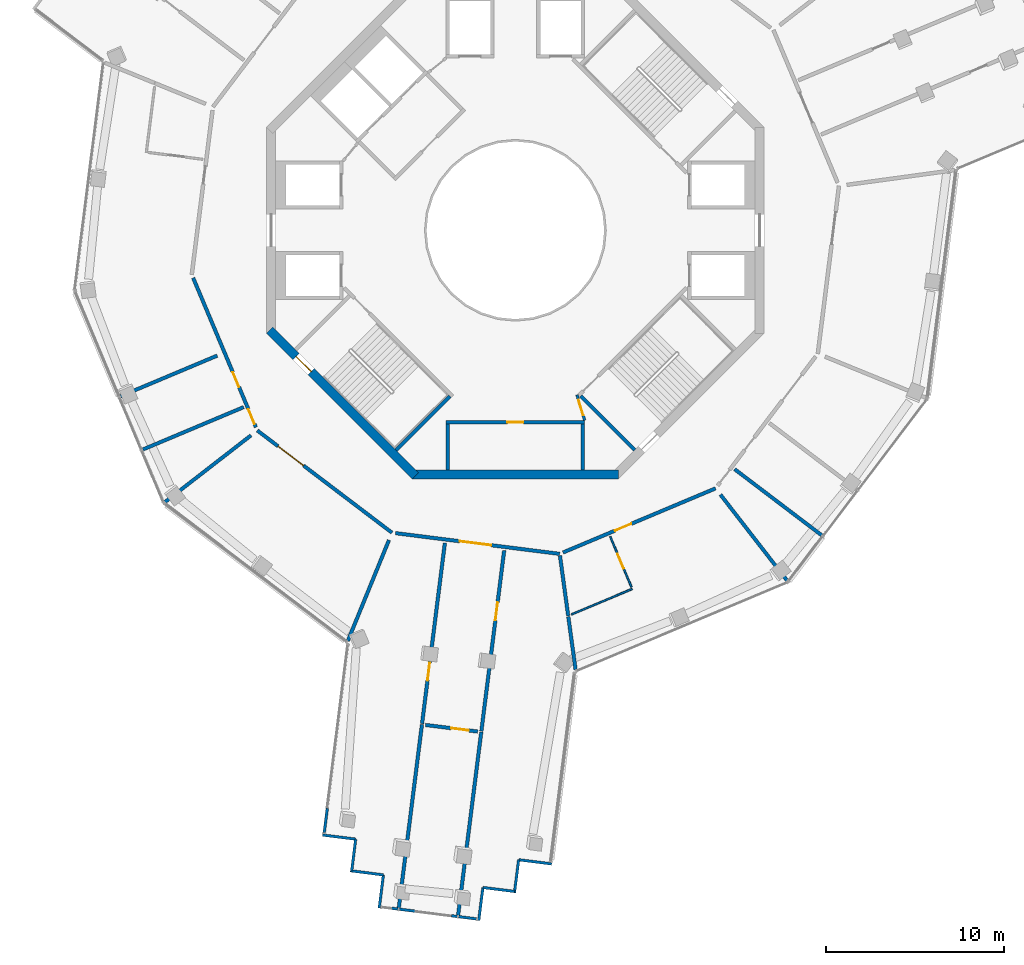
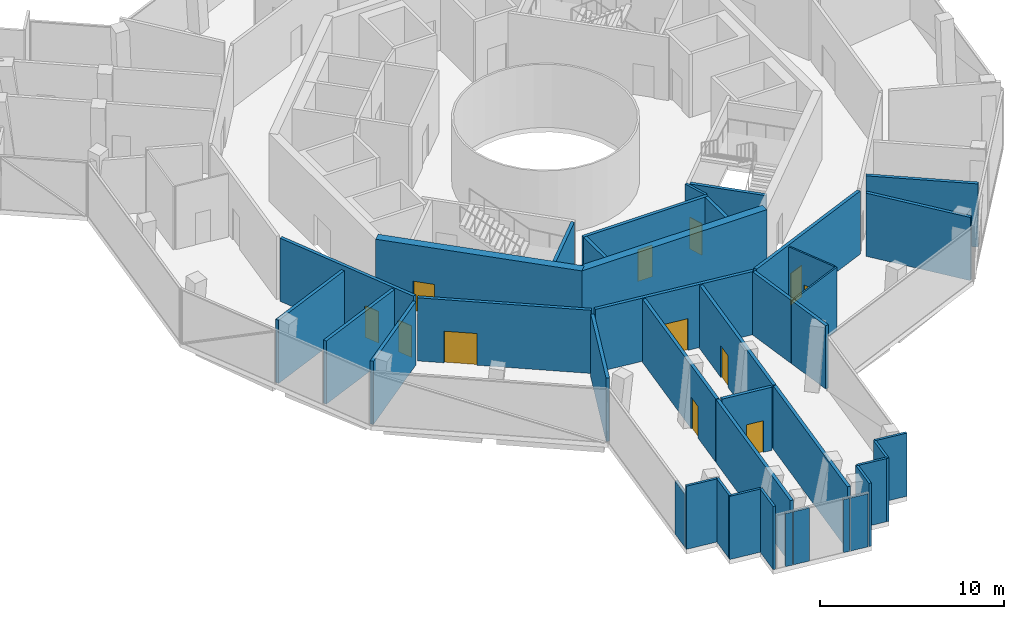
# One storey, part 12 of 18: 40 walls, 12 doors, 12 openings.
"""IFC4 building model written with IfcOpenShell, lengths in metres."""

from ifc_helpers import new_model, si_unit, direction, frame, frame_2d, origin, place, context, subcontext, project, spatial, rectangle, extrude, material, layer, layer_set, type_object, element, fill, save


model = new_model("IFC4")

# Units and contexts
model_context = context("Model", 3, precision=1e-05, world=origin(), true_north=direction((0.0, 1.0)))
body_context = subcontext(model_context, "Body", "Model", "MODEL_VIEW")
ifc_project = project(units=[si_unit("LENGTHUNIT", "METRE"), si_unit("AREAUNIT", "SQUARE_METRE"), si_unit("VOLUMEUNIT", "CUBIC_METRE"), si_unit("PLANEANGLEUNIT", "RADIAN"), si_unit("MASSUNIT", "GRAM", prefix="KILO")], contexts=[model_context])

# Site, building, storey
site_placement = place(None, origin())
site = spatial("IfcSite", under=ifc_project, at=site_placement, CompositionType="ELEMENT")
building_placement = place(site_placement, origin())
building = spatial("IfcBuilding", under=site, at=building_placement, Name="Verdalira Terraces Hotel", CompositionType="ELEMENT")
storey_placement = place(building_placement, frame((0.0, 0.0, 248.0)))
storey = spatial("IfcBuildingStorey", under=building, at=storey_placement, Name="L61", CompositionType="ELEMENT", Elevation=248.0)

# Wall
ifc_material_1 = material(Name="Moisture-resistant gypsum board partition")
ifc_layer_1 = layer(ifc_material_1, 0.10009765625)
ifc_layer_set_1 = layer_set([ifc_layer_1], Name="Bathroom partition 100 mm")
wall_type_1 = type_object("IfcWallType", Name="Bathroom partition 100 mm", PredefinedType="PARTITIONING", material=ifc_layer_set_1)
wall_1_placement = place(storey_placement, frame((6.578125, -20.186523, 0.0), z_axis=(0.0, 0.0, 1.0), x_axis=(-0.921857328, -0.387529441, 0.0)))
element("IfcWall", 1, at=wall_1_placement, inside=storey, type_object=wall_type_1, Name="Bathroom partition", PredefinedType="PARTITIONING", context=body_context, shape_type="SweptSolid", body=[
    extrude(rectangle(XDim=3.703613, YDim=0.100098, at=frame_2d((1.851807, 0.0))), origin(), (0.0, 0.0, 1.0), 4.189941),
])

# Wall, opening, door
wall_2_placement = place(storey_placement, frame((6.539551, -20.094238, 0.0), z_axis=(0.0, 0.0, 1.0), x_axis=(-0.3875605, 0.92184427, 0.0)))
wall_2 = element("IfcWall", 2, at=wall_2_placement, inside=storey, type_object=wall_type_1, Name="Bathroom partition", PredefinedType="PARTITIONING", context=body_context, shape_type="SweptSolid", body=[
    extrude(rectangle(XDim=3.099854, YDim=0.100098, at=frame_2d((1.549805, 0.0))), origin(), (0.0, 0.0, 1.0), 4.189941),
])
opening_1_placement = place(wall_2_placement, frame((1.149902, 0.0, 0.0)))
opening_1 = element("IfcOpeningElement", 3, at=opening_1_placement, cuts=wall_2, Name="Opening L61-112", PredefinedType="OPENING", context=body_context, shape_type="SweptSolid", body=[
    extrude(rectangle(XDim=0.899902, YDim=2.100098, at=frame_2d((0.449951, 1.050049))), frame((0.0, 0.060059, 0.0), z_axis=(0.0, -1.0, 0.0), x_axis=(1.0, 0.0, 0.0)), (0.0, 0.0, 1.0), 0.120117),
])
ifc_material_2 = material(Name="Timber door", Category="wood")
door_type_1 = type_object("IfcDoorType", Name="Bathroom door 900 x 2100", OperationType="NOTDEFINED", PredefinedType="DOOR", material=ifc_material_2)
door_1_placement = place(opening_1_placement, origin())
door_1 = element("IfcDoor", 4, at=door_1_placement, inside=storey, type_object=door_type_1, Name="Bathroom door 6105", OperationType="SINGLE_SWING_LEFT", OverallHeight=2.10009765625, OverallWidth=0.89990234375, PredefinedType="DOOR", context=body_context, shape_type="SweptSolid", body=[
    extrude(rectangle(XDim=0.899902, YDim=2.100098, at=frame_2d((0.449951, 1.050049))), frame((0.0, 0.024902, 0.0), z_axis=(0.0, -1.0, 0.0), x_axis=(1.0, 0.0, 0.0)), (0.0, 0.0, 1.0), 0.050049),
])
fill(opening_1, door_1)

ifc_material_3 = material(Name="Concrete C50", Category="concrete")
ifc_layer_2 = layer(ifc_material_3, 0.199951171875)
ifc_layer_set_2 = layer_set([ifc_layer_2], Name="Core RC wall 200 C50")
wall_type_2 = type_object("IfcWallType", Name="Core RC wall 200 C50", PredefinedType="SOLIDWALL", material=ifc_layer_set_2)
wall_3_placement = place(storey_placement, frame((-3.899902, -10.800049, 0.0), z_axis=(0.0, 0.0, 1.0), x_axis=(1.0, 0.0, 0.0)))
wall_3 = element("IfcWall", 5, at=wall_3_placement, inside=storey, type_object=wall_type_2, Name="L61 store front wall", PredefinedType="SOLIDWALL", context=body_context, shape_type="SweptSolid", body=[
    extrude(rectangle(XDim=7.799805, YDim=0.199951, at=frame_2d((3.899902, 0.0))), origin(), (0.0, 0.0, 1.0), 4.189941),
])
opening_2_placement = place(wall_3_placement, frame((3.449951, 0.0, 0.0)))
opening_2 = element("IfcOpeningElement", 6, at=opening_2_placement, cuts=wall_3, Name="Opening L61-801", PredefinedType="OPENING", context=body_context, shape_type="SweptSolid", body=[
    extrude(rectangle(XDim=0.899902, YDim=2.100098, at=frame_2d((0.449951, 1.050049))), frame((0.0, 0.109863, 0.0), z_axis=(0.0, -1.0, 0.0), x_axis=(1.0, 0.0, 0.0)), (0.0, 0.0, 1.0), 0.219971),
])
ifc_material_4 = material(Name="Steel fire door", Category="steel")
door_type_2 = type_object("IfcDoorType", Name="Core room door 900 x 2100", OperationType="NOTDEFINED", PredefinedType="DOOR", material=ifc_material_4)
door_2_placement = place(opening_2_placement, origin())
door_2 = element("IfcDoor", 7, at=door_2_placement, inside=storey, type_object=door_type_2, Name="Store door L61 SS", OperationType="SINGLE_SWING_LEFT", OverallHeight=2.10009765625, OverallWidth=0.89990234375, PredefinedType="DOOR", context=body_context, shape_type="SweptSolid", body=[
    extrude(rectangle(XDim=0.899902, YDim=2.100098, at=frame_2d((0.449951, 1.050049))), frame((0.0, 0.024902, 0.0), z_axis=(0.0, -1.0, 0.0), x_axis=(1.0, 0.0, 0.0)), (0.0, 0.0, 1.0), 0.050049),
])
fill(opening_2, door_2)

# Walls
for number, where, z_axis, x_axis, name in (
    (8, (-3.800049, -10.899902, 0.0), (0.0, 0.0, 1.0), (0.0, -1.0, 0.0), "L61 store side wall"),
    (9, (3.800049, -10.899902, 0.0), (0.0, 0.0, 1.0), (0.0, -1.0, 0.0), "L61 store side wall"),
):
    element("IfcWall", number, at=place(storey_placement, frame(where, z_axis=z_axis, x_axis=x_axis)), inside=storey, type_object=wall_type_2, Name=name, PredefinedType="SOLIDWALL", context=body_context, shape_type="SweptSolid", body=[
        extrude(rectangle(XDim=2.600098, YDim=0.199951, at=frame_2d((1.300049, 0.0))), origin(), (0.0, 0.0, 1.0), 4.189941),
    ])
for number, where, z_axis, x_axis, name in (
    (10, (-3.677002, -9.33374, 0.0), (0.0, 0.0, 1.0), (-0.707078393, -0.707135168, 0.0), "L61 stair ST2 end wall 2"),
    (11, (3.677002, -9.33374, 0.0), (0.0, 0.0, 1.0), (0.707078393, -0.707135168, 0.0), "L61 stair ST3 end wall 1"),
):
    element("IfcWall", number, at=place(storey_placement, frame(where, z_axis=z_axis, x_axis=x_axis)), inside=storey, type_object=wall_type_2, Name=name, PredefinedType="SOLIDWALL", context=body_context, shape_type="SweptSolid", body=[
        extrude(rectangle(XDim=4.300049, YDim=0.199951, at=frame_2d((2.149902, 0.0))), origin(), (0.0, 0.0, 1.0), 4.189941),
    ])

# Wall, opening, door
ifc_material_5 = material(Name="Gypsum board partition")
ifc_layer_3 = layer(ifc_material_5, 0.14990234375)
ifc_layer_set_3 = layer_set([ifc_layer_3], Name="Core partition 150 mm")
wall_type_3 = type_object("IfcWallType", Name="Core partition 150 mm", PredefinedType="PARTITIONING", material=ifc_layer_set_3)
wall_4_placement = place(storey_placement, frame((3.899902, -10.699951, 0.0), z_axis=(0.0, 0.0, 1.0), x_axis=(-0.289808785, 0.957084567, 0.0)))
wall_4 = element("IfcWall", 12, at=wall_4_placement, inside=storey, type_object=wall_type_3, Name="Room partition L61", PredefinedType="PARTITIONING", context=body_context, shape_type="SweptSolid", body=[
    extrude(rectangle(XDim=1.501221, YDim=0.149902, at=frame_2d((0.750488, 0.0))), origin(), (0.0, 0.0, 1.0), 4.189941),
])
opening_3_placement = place(wall_4_placement, frame((0.300781, 0.0, 0.0)))
opening_3 = element("IfcOpeningElement", 13, at=opening_3_placement, cuts=wall_4, Name="Opening L61-822", PredefinedType="OPENING", context=body_context, shape_type="SweptSolid", body=[
    extrude(rectangle(XDim=0.899902, YDim=2.100098, at=frame_2d((0.449951, 1.050049))), frame((0.0, 0.084961, 0.0), z_axis=(0.0, -1.0, 0.0), x_axis=(1.0, 0.0, 0.0)), (0.0, 0.0, 1.0), 0.169922),
])
door_3_placement = place(opening_3_placement, origin())
door_3 = element("IfcDoor", 14, at=door_3_placement, inside=storey, type_object=door_type_2, Name="Door L61 room6", OperationType="SINGLE_SWING_LEFT", OverallHeight=2.10009765625, OverallWidth=0.89990234375, PredefinedType="DOOR", context=body_context, shape_type="SweptSolid", body=[
    extrude(rectangle(XDim=0.899902, YDim=2.100098, at=frame_2d((0.449951, 1.050049))), frame((0.0, 0.024902, 0.0), z_axis=(0.0, -1.0, 0.0), x_axis=(1.0, 0.0, 0.0)), (0.0, 0.0, 1.0), 0.050049),
])
fill(opening_3, door_3)

ifc_material_6 = material(Name="Concrete C50", Category="concrete")
ifc_layer_4 = layer(ifc_material_6, 0.5)
ifc_layer_set_4 = layer_set([ifc_layer_4], Name="Core wall 500 C50")
wall_type_4 = type_object("IfcWallType", Name="Core wall 500 C50", PredefinedType="SHEAR", material=ifc_layer_set_4)
wall_5_placement = place(storey_placement, frame((-13.823242, -5.622314, 0.0), z_axis=(0.0, 0.0, 1.0), x_axis=(0.707106781, -0.707106781, 0.0)))
wall_5 = element("IfcWall", 15, at=wall_5_placement, inside=storey, type_object=wall_type_4, Name="Core wall CW-L61-6", PredefinedType="SHEAR", context=body_context, shape_type="SweptSolid", body=[
    extrude(rectangle(XDim=11.5979, YDim=0.5, at=frame_2d((5.798828, 0.0))), origin(), (0.0, 0.0, 1.0), 4.5),
])
opening_4_placement = place(wall_5_placement, frame((2.099121, 0.0, 0.0)))
opening_4 = element("IfcOpeningElement", 16, at=opening_4_placement, cuts=wall_5, Name="Opening L61-817", PredefinedType="OPENING", context=body_context, shape_type="SweptSolid", body=[
    extrude(rectangle(XDim=1.199951, YDim=2.100098, at=frame_2d((0.600098, 1.050049))), frame((0.0, 0.26001, 0.0), z_axis=(0.0, -1.0, 0.0), x_axis=(1.0, 0.0, 0.0)), (0.0, 0.0, 1.0), 0.52002),
])
ifc_material_7 = material(Name="Steel fire door", Category="steel")
door_type_3 = type_object("IfcDoorType", Name="Stair door 1200 x 2100", OperationType="NOTDEFINED", PredefinedType="DOOR", material=ifc_material_7)
door_4_placement = place(opening_4_placement, origin())
door_4 = element("IfcDoor", 17, at=door_4_placement, inside=storey, type_object=door_type_3, Name="Stair exit door ST2 L61", OperationType="SINGLE_SWING_LEFT", OverallHeight=2.10009765625, OverallWidth=1.199951171875, PredefinedType="DOOR", context=body_context, shape_type="SweptSolid", body=[
    extrude(rectangle(XDim=1.199951, YDim=2.100098, at=frame_2d((0.600098, 1.050049))), frame((0.0, 0.024902, 0.0), z_axis=(0.0, -1.0, 0.0), x_axis=(1.0, 0.0, 0.0)), (0.0, 0.0, 1.0), 0.050049),
])
fill(opening_4, door_4)

# Walls
wall_6_placement = place(storey_placement, frame((-5.799072, -13.75, 0.0), z_axis=(0.0, 0.0, 1.0), x_axis=(1.0, 0.0, 0.0)))
element("IfcWall", 18, at=wall_6_placement, inside=storey, type_object=wall_type_4, Name="Core wall CW-L61-7", PredefinedType="SHEAR", context=body_context, shape_type="SweptSolid", body=[
    extrude(rectangle(XDim=11.598145, YDim=0.5, at=frame_2d((5.799072, 0.0))), origin(), (0.0, 0.0, 1.0), 4.5),
])
ifc_material_8 = material(Name="Fire-rated gypsum board wall")
ifc_layer_5 = layer(ifc_material_8, 0.199951171875)
ifc_layer_set_5 = layer_set([ifc_layer_5], Name="Demising wall 200 mm")
wall_type_5 = type_object("IfcWallType", Name="Demising wall 200 mm", PredefinedType="SOLIDWALL", material=ifc_layer_set_5)
wall_7_placement = place(storey_placement, frame((-9.432373, -23.113525, 0.0), z_axis=(0.0, 0.0, 1.0), x_axis=(0.377834312, 0.925873227, 0.0)))
element("IfcWall", 19, at=wall_7_placement, inside=storey, type_object=wall_type_5, Name="Demising wall", PredefinedType="SOLIDWALL", context=body_context, shape_type="SweptSolid", body=[
    extrude(rectangle(XDim=6.13208, YDim=0.199951, at=frame_2d((3.065918, 0.0))), origin(), (0.0, 0.0, 1.0), 4.189941),
])
wall_8_placement = place(storey_placement, frame((-5.258789, -27.81665, 0.0), z_axis=(0.0, 0.0, 1.0), x_axis=(-0.125346478, -0.992113028, 0.0)))
element("IfcWall", 20, at=wall_8_placement, inside=storey, type_object=wall_type_5, Name="Demising wall", PredefinedType="SOLIDWALL", context=body_context, shape_type="SweptSolid", body=[
    extrude(rectangle(XDim=10.398926, YDim=0.199951, at=frame_2d((5.199463, 0.0))), origin(), (0.0, 0.0, 1.0), 4.189941),
])

# Wall, opening, door
wall_9_placement = place(storey_placement, frame((-5.253174, -27.770996, 0.0), z_axis=(0.0, 0.0, 1.0), x_axis=(0.125333041, 0.992114726, 0.0)))
wall_9 = element("IfcWall", 21, at=wall_9_placement, inside=storey, type_object=wall_type_5, Name="Demising wall", PredefinedType="SOLIDWALL", context=body_context, shape_type="SweptSolid", body=[
    extrude(rectangle(XDim=10.251953, YDim=0.199951, at=frame_2d((5.125977, 0.0))), origin(), (0.0, 0.0, 1.0), 4.189941),
])
opening_5_placement = place(wall_9_placement, frame((2.449951, 0.0, 0.0)))
opening_5 = element("IfcOpeningElement", 22, at=opening_5_placement, cuts=wall_9, Name="Opening L61-108", PredefinedType="OPENING", context=body_context, shape_type="SweptSolid", body=[
    extrude(rectangle(XDim=1.0, YDim=2.100098, at=frame_2d((0.5, 1.050049))), frame((0.0, 0.109863, 0.0), z_axis=(0.0, -1.0, 0.0), x_axis=(1.0, 0.0, 0.0)), (0.0, 0.0, 1.0), 0.219971),
])
ifc_material_9 = material(Name="Timber fire door", Category="wood")
door_type_4 = type_object("IfcDoorType", Name="Public room door 1000 x 2100", OperationType="NOTDEFINED", PredefinedType="DOOR", material=ifc_material_9)
door_5_placement = place(opening_5_placement, origin())
door_5 = element("IfcDoor", 23, at=door_5_placement, inside=storey, type_object=door_type_4, Name="Public room door 6104", OperationType="SINGLE_SWING_LEFT", OverallHeight=2.10009765625, OverallWidth=1.0, PredefinedType="DOOR", context=body_context, shape_type="SweptSolid", body=[
    extrude(rectangle(XDim=1.0, YDim=2.100098, at=frame_2d((0.5, 1.050049))), frame((0.0, 0.024902, 0.0), z_axis=(0.0, -1.0, 0.0), x_axis=(1.0, 0.0, 0.0)), (0.0, 0.0, 1.0), 0.050049),
])
fill(opening_5, door_5)

wall_10_placement = place(storey_placement, frame((-2.119141, -28.215088, 0.0), z_axis=(0.0, 0.0, 1.0), x_axis=(-0.992116162, 0.12532167, 0.0)))
wall_10 = element("IfcWall", 24, at=wall_10_placement, inside=storey, type_object=wall_type_5, Name="Demising wall", PredefinedType="SOLIDWALL", context=body_context, shape_type="SweptSolid", body=[
    extrude(rectangle(XDim=2.965088, YDim=0.199951, at=frame_2d((1.482422, 0.0))), origin(), (0.0, 0.0, 1.0), 4.189941),
])
opening_6_placement = place(wall_10_placement, frame((0.5, 0.0, 0.0)))
opening_6 = element("IfcOpeningElement", 25, at=opening_6_placement, cuts=wall_10, Name="Opening L61-110", PredefinedType="OPENING", context=body_context, shape_type="SweptSolid", body=[
    extrude(rectangle(XDim=1.0, YDim=2.100098, at=frame_2d((0.5, 1.050049))), frame((0.0, 0.109863, 0.0), z_axis=(0.0, -1.0, 0.0), x_axis=(1.0, 0.0, 0.0)), (0.0, 0.0, 1.0), 0.219971),
])
door_6_placement = place(opening_6_placement, origin())
door_6 = element("IfcDoor", 26, at=door_6_placement, inside=storey, type_object=door_type_4, Name="Public room door 6104", OperationType="SINGLE_SWING_LEFT", OverallHeight=2.10009765625, OverallWidth=1.0, PredefinedType="DOOR", context=body_context, shape_type="SweptSolid", body=[
    extrude(rectangle(XDim=1.0, YDim=2.100098, at=frame_2d((0.5, 1.050049))), frame((0.0, 0.024902, 0.0), z_axis=(0.0, -1.0, 0.0), x_axis=(1.0, 0.0, 0.0)), (0.0, 0.0, 1.0), 0.050049),
])
fill(opening_6, door_6)

# Wall
wall_11_placement = place(storey_placement, frame((-3.223877, -38.55542, 0.0), z_axis=(0.0, 0.0, 1.0), x_axis=(0.125343558, 0.992113397, 0.0)))
element("IfcWall", 27, at=wall_11_placement, inside=storey, type_object=wall_type_5, Name="Demising wall", PredefinedType="SOLIDWALL", context=body_context, shape_type="SweptSolid", body=[
    extrude(rectangle(XDim=10.39917, YDim=0.199951, at=frame_2d((5.199707, 0.0))), origin(), (0.0, 0.0, 1.0), 4.189941),
])

# Wall, opening, door
wall_12_placement = place(storey_placement, frame((-0.629883, -18.021484, 0.0), z_axis=(0.0, 0.0, 1.0), x_axis=(-0.125333041, -0.992114726, 0.0)))
wall_12 = element("IfcWall", 28, at=wall_12_placement, inside=storey, type_object=wall_type_5, Name="Demising wall", PredefinedType="SOLIDWALL", context=body_context, shape_type="SweptSolid", body=[
    extrude(rectangle(XDim=10.251953, YDim=0.199951, at=frame_2d((5.125977, 0.0))), origin(), (0.0, 0.0, 1.0), 4.189941),
])
opening_7_placement = place(wall_12_placement, frame((2.949951, 0.0, 0.0)))
opening_7 = element("IfcOpeningElement", 29, at=opening_7_placement, cuts=wall_12, Name="Opening L61-109", PredefinedType="OPENING", context=body_context, shape_type="SweptSolid", body=[
    extrude(rectangle(XDim=1.0, YDim=2.100098, at=frame_2d((0.5, 1.050049))), frame((0.0, 0.109863, 0.0), z_axis=(0.0, -1.0, 0.0), x_axis=(1.0, 0.0, 0.0)), (0.0, 0.0, 1.0), 0.219971),
])
door_7_placement = place(opening_7_placement, origin())
door_7 = element("IfcDoor", 30, at=door_7_placement, inside=storey, type_object=door_type_4, Name="Public room door 6104", OperationType="SINGLE_SWING_LEFT", OverallHeight=2.10009765625, OverallWidth=1.0, PredefinedType="DOOR", context=body_context, shape_type="SweptSolid", body=[
    extrude(rectangle(XDim=1.0, YDim=2.100098, at=frame_2d((0.5, 1.050049))), frame((0.0, 0.024902, 0.0), z_axis=(0.0, -1.0, 0.0), x_axis=(1.0, 0.0, 0.0)), (0.0, 0.0, 1.0), 0.050049),
])
fill(opening_7, door_7)

# Walls
wall_13_placement = place(storey_placement, frame((2.509277, -18.317139, 0.0), z_axis=(0.0, 0.0, 1.0), x_axis=(0.135690013, -0.990751341, 0.0)))
element("IfcWall", 31, at=wall_13_placement, inside=storey, type_object=wall_type_5, Name="Demising wall", PredefinedType="SOLIDWALL", context=body_context, shape_type="SweptSolid", body=[
    extrude(rectangle(XDim=3.418701, YDim=0.199951, at=frame_2d((1.709473, 0.0))), origin(), (0.0, 0.0, 1.0), 4.189941),
])
wall_14_placement = place(storey_placement, frame((2.979248, -21.749512, 0.0), z_axis=(0.0, 0.0, 1.0), x_axis=(0.135710101, -0.99074859, 0.0)))
element("IfcWall", 32, at=wall_14_placement, inside=storey, type_object=wall_type_5, Name="Demising wall", PredefinedType="SOLIDWALL", context=body_context, shape_type="SweptSolid", body=[
    extrude(rectangle(XDim=3.011475, YDim=0.199951, at=frame_2d((1.505859, 0.0))), origin(), (0.0, 0.0, 1.0), 4.189941),
])

# Wall, openings, doors
ifc_material_10 = material(Name="Fire-rated gypsum board wall")
ifc_layer_6 = layer(ifc_material_10, 0.199951171875)
ifc_layer_set_6 = layer_set([ifc_layer_6], Name="Guest corridor wall 200 mm")
wall_type_6 = type_object("IfcWallType", Name="Guest corridor wall 200 mm", PredefinedType="SOLIDWALL", material=ifc_layer_set_6)
wall_15_placement = place(storey_placement, frame((-14.604248, -11.08374, 0.0), z_axis=(0.0, 0.0, 1.0), x_axis=(-0.387522951, 0.921860056, 0.0)))
wall_15 = element("IfcWall", 33, at=wall_15_placement, inside=storey, type_object=wall_type_6, Name="Guest corridor wall", PredefinedType="SOLIDWALL", context=body_context, shape_type="SweptSolid", body=[
    extrude(rectangle(XDim=9.116211, YDim=0.199951, at=frame_2d((4.558105, 0.0))), origin(), (0.0, 0.0, 1.0), 4.189941),
])
opening_8_placement = place(wall_15_placement, frame((2.458252, 0.0, 0.0)))
opening_8 = element("IfcOpeningElement", 34, at=opening_8_placement, cuts=wall_15, Name="Opening L61-125", PredefinedType="OPENING", context=body_context, shape_type="SweptSolid", body=[
    extrude(rectangle(XDim=0.899902, YDim=2.100098, at=frame_2d((0.449951, 1.050049))), frame((0.0, 0.109863, 0.0), z_axis=(0.0, -1.0, 0.0), x_axis=(1.0, 0.0, 0.0)), (0.0, 0.0, 1.0), 0.219971),
])
opening_9_placement = place(wall_15_placement, frame((0.199951, 0.0, 0.0)))
opening_9 = element("IfcOpeningElement", 35, at=opening_9_placement, cuts=wall_15, Name="Opening L61-126", PredefinedType="OPENING", context=body_context, shape_type="SweptSolid", body=[
    extrude(rectangle(XDim=0.899902, YDim=2.100098, at=frame_2d((0.449951, 1.050049))), frame((0.0, 0.109863, 0.0), z_axis=(0.0, -1.0, 0.0), x_axis=(1.0, 0.0, 0.0)), (0.0, 0.0, 1.0), 0.219971),
])
ifc_material_11 = material(Name="Timber fire door", Category="wood")
door_type_5 = type_object("IfcDoorType", Name="Toilet door 900 x 2100", OperationType="NOTDEFINED", PredefinedType="DOOR", material=ifc_material_11)
door_8_placement = place(opening_8_placement, origin())
door_8 = element("IfcDoor", 36, at=door_8_placement, inside=storey, type_object=door_type_5, Name="Toilet door 6114", OperationType="SINGLE_SWING_LEFT", OverallHeight=2.10009765625, OverallWidth=0.89990234375, PredefinedType="DOOR", context=body_context, shape_type="SweptSolid", body=[
    extrude(rectangle(XDim=0.899902, YDim=2.100098, at=frame_2d((0.449951, 1.050049))), frame((0.0, 0.024902, 0.0), z_axis=(0.0, -1.0, 0.0), x_axis=(1.0, 0.0, 0.0)), (0.0, 0.0, 1.0), 0.050049),
])
fill(opening_8, door_8)
door_9_placement = place(opening_9_placement, origin())
door_9 = element("IfcDoor", 37, at=door_9_placement, inside=storey, type_object=door_type_5, Name="Toilet door 6115", OperationType="SINGLE_SWING_LEFT", OverallHeight=2.10009765625, OverallWidth=0.89990234375, PredefinedType="DOOR", context=body_context, shape_type="SweptSolid", body=[
    extrude(rectangle(XDim=0.899902, YDim=2.100098, at=frame_2d((0.449951, 1.050049))), frame((0.0, 0.024902, 0.0), z_axis=(0.0, -1.0, 0.0), x_axis=(1.0, 0.0, 0.0)), (0.0, 0.0, 1.0), 0.050049),
])
fill(opening_9, door_9)

# Wall, opening, door
wall_16_placement = place(storey_placement, frame((-6.946533, -17.021973, 0.0), z_axis=(0.0, 0.0, 1.0), x_axis=(-0.796535771, 0.604591404, 0.0)))
wall_16 = element("IfcWall", 38, at=wall_16_placement, inside=storey, type_object=wall_type_6, Name="Guest corridor wall", PredefinedType="SOLIDWALL", context=body_context, shape_type="SweptSolid", body=[
    extrude(rectangle(XDim=9.516602, YDim=0.199951, at=frame_2d((4.758301, 0.0))), origin(), (0.0, 0.0, 1.0), 4.189941),
])
opening_10_placement = place(wall_16_placement, frame((6.25, 0.0, 0.0)))
opening_10 = element("IfcOpeningElement", 39, at=opening_10_placement, cuts=wall_16, Name="Opening L61-106", PredefinedType="OPENING", context=body_context, shape_type="SweptSolid", body=[
    extrude(rectangle(XDim=1.800049, YDim=2.100098, at=frame_2d((0.899902, 1.050049))), frame((0.0, 0.109863, 0.0), z_axis=(0.0, -1.0, 0.0), x_axis=(1.0, 0.0, 0.0)), (0.0, 0.0, 1.0), 0.219971),
])
ifc_material_12 = material(Name="Timber fire door", Category="wood")
door_type_6 = type_object("IfcDoorType", Name="Public room double door 1800 x 2100", OperationType="NOTDEFINED", PredefinedType="DOOR", material=ifc_material_12)
door_10_placement = place(opening_10_placement, origin())
door_10 = element("IfcDoor", 40, at=door_10_placement, inside=storey, type_object=door_type_6, Name="Public room double door 6103", OperationType="DOUBLE_DOOR_SINGLE_SWING", OverallHeight=2.10009765625, OverallWidth=1.800048828125, PredefinedType="DOOR", context=body_context, shape_type="SweptSolid", body=[
    extrude(rectangle(XDim=1.800049, YDim=2.100098, at=frame_2d((0.899902, 1.050049))), frame((0.0, 0.024902, 0.0), z_axis=(0.0, -1.0, 0.0), x_axis=(1.0, 0.0, 0.0)), (0.0, 0.0, 1.0), 0.050049),
])
fill(opening_10, door_10)

wall_17_placement = place(storey_placement, frame((2.495117, -18.2146, 0.0), z_axis=(0.0, 0.0, 1.0), x_axis=(-0.992117406, 0.125311818, 0.0)))
wall_17 = element("IfcWall", 41, at=wall_17_placement, inside=storey, type_object=wall_type_6, Name="Guest corridor wall", PredefinedType="SOLIDWALL", context=body_context, shape_type="SweptSolid", body=[
    extrude(rectangle(XDim=9.31665, YDim=0.199951, at=frame_2d((4.658203, 0.0))), origin(), (0.0, 0.0, 1.0), 4.189941),
])
opening_11_placement = place(wall_17_placement, frame((3.874512, 0.0, 0.0)))
opening_11 = element("IfcOpeningElement", 42, at=opening_11_placement, cuts=wall_17, Name="Opening L61-107", PredefinedType="OPENING", context=body_context, shape_type="SweptSolid", body=[
    extrude(rectangle(XDim=1.800049, YDim=2.100098, at=frame_2d((0.899902, 1.050049))), frame((0.0, 0.109863, 0.0), z_axis=(0.0, -1.0, 0.0), x_axis=(1.0, 0.0, 0.0)), (0.0, 0.0, 1.0), 0.219971),
])
door_11_placement = place(opening_11_placement, origin())
door_11 = element("IfcDoor", 43, at=door_11_placement, inside=storey, type_object=door_type_6, Name="Public room double door 6104", OperationType="DOUBLE_DOOR_SINGLE_SWING", OverallHeight=2.10009765625, OverallWidth=1.800048828125, PredefinedType="DOOR", context=body_context, shape_type="SweptSolid", body=[
    extrude(rectangle(XDim=1.800049, YDim=2.100098, at=frame_2d((0.899902, 1.050049))), frame((0.0, 0.024902, 0.0), z_axis=(0.0, -1.0, 0.0), x_axis=(1.0, 0.0, 0.0)), (0.0, 0.0, 1.0), 0.050049),
])
fill(opening_11, door_11)

wall_18_placement = place(storey_placement, frame((11.268066, -14.526855, 0.0), z_axis=(0.0, 0.0, 1.0), x_axis=(-0.921862121, -0.387518038, 0.0)))
wall_18 = element("IfcWall", 44, at=wall_18_placement, inside=storey, type_object=wall_type_6, Name="Guest corridor wall", PredefinedType="SOLIDWALL", context=body_context, shape_type="SweptSolid", body=[
    extrude(rectangle(XDim=9.31665, YDim=0.199951, at=frame_2d((4.658203, 0.0))), origin(), (0.0, 0.0, 1.0), 4.189941),
])
opening_12_placement = place(wall_18_placement, frame((5.149902, 0.0, 0.0)))
opening_12 = element("IfcOpeningElement", 45, at=opening_12_placement, cuts=wall_18, Name="Opening L61-111", PredefinedType="OPENING", context=body_context, shape_type="SweptSolid", body=[
    extrude(rectangle(XDim=1.0, YDim=2.100098, at=frame_2d((0.5, 1.050049))), frame((0.0, 0.109863, 0.0), z_axis=(0.0, -1.0, 0.0), x_axis=(1.0, 0.0, 0.0)), (0.0, 0.0, 1.0), 0.219971),
])
ifc_material_13 = material(Name="Timber fire door", Category="wood")
door_type_7 = type_object("IfcDoorType", Name="Guest entry door 1000 x 2100", OperationType="NOTDEFINED", PredefinedType="DOOR", material=ifc_material_13)
door_12_placement = place(opening_12_placement, origin())
door_12 = element("IfcDoor", 46, at=door_12_placement, inside=storey, type_object=door_type_7, Name="Guest entry door 6105", OperationType="SINGLE_SWING_LEFT", OverallHeight=2.10009765625, OverallWidth=1.0, PredefinedType="DOOR", context=body_context, shape_type="SweptSolid", body=[
    extrude(rectangle(XDim=1.0, YDim=2.100098, at=frame_2d((0.5, 1.050049))), frame((0.0, 0.024902, 0.0), z_axis=(0.0, -1.0, 0.0), x_axis=(1.0, 0.0, 0.0)), (0.0, 0.0, 1.0), 0.050049),
])
fill(opening_12, door_12)

# Walls
ifc_material_14 = material(Name="Fire-rated gypsum board wall")
ifc_layer_7 = layer(ifc_material_14, 0.199951171875)
ifc_layer_set_7 = layer_set([ifc_layer_7], Name="Service room wall 200 mm")
wall_type_7 = type_object("IfcWallType", Name="Service room wall 200 mm", PredefinedType="SOLIDWALL", material=ifc_layer_set_7)
wall_19_placement = place(storey_placement, frame((-22.224609, -9.342285, 0.0), z_axis=(0.0, 0.0, 1.0), x_axis=(0.921869547, 0.387500372, 0.0)))
element("IfcWall", 47, at=wall_19_placement, inside=storey, type_object=wall_type_7, Name="Service room wall", PredefinedType="SOLIDWALL", context=body_context, shape_type="SweptSolid", body=[
    extrude(rectangle(XDim=5.902832, YDim=0.199951, at=frame_2d((2.951416, 0.0))), origin(), (0.0, 0.0, 1.0), 4.189941),
])
wall_20_placement = place(storey_placement, frame((-15.295654, -9.955078, 0.0), z_axis=(0.0, 0.0, 1.0), x_axis=(-0.921857904, -0.387528071, 0.0)))
element("IfcWall", 48, at=wall_20_placement, inside=storey, type_object=wall_type_7, Name="Service room wall", PredefinedType="SOLIDWALL", context=body_context, shape_type="SweptSolid", body=[
    extrude(rectangle(XDim=6.149902, YDim=0.199951, at=frame_2d((3.074951, 0.0))), origin(), (0.0, 0.0, 1.0), 4.189941),
])
wall_21_placement = place(storey_placement, frame((-19.725342, -15.300537, 0.0), z_axis=(0.0, 0.0, 1.0), x_axis=(0.790157627, 0.612903683, 0.0)))
element("IfcWall", 49, at=wall_21_placement, inside=storey, type_object=wall_type_7, Name="Service room wall", PredefinedType="SOLIDWALL", context=body_context, shape_type="SweptSolid", body=[
    extrude(rectangle(XDim=6.13208, YDim=0.199951, at=frame_2d((3.065918, 0.0))), origin(), (0.0, 0.0, 1.0), 4.189941),
])
wall_22_placement = place(storey_placement, frame((15.300781, -19.725586, 0.0), z_axis=(0.0, 0.0, 1.0), x_axis=(-0.61290926, 0.790153301, 0.0)))
element("IfcWall", 50, at=wall_22_placement, inside=storey, type_object=wall_type_7, Name="Service room wall", PredefinedType="SOLIDWALL", context=body_context, shape_type="SweptSolid", body=[
    extrude(rectangle(XDim=6.132324, YDim=0.199951, at=frame_2d((3.066162, 0.0))), origin(), (0.0, 0.0, 1.0), 4.189941),
])
wall_23_placement = place(storey_placement, frame((12.339355, -13.446289, 0.0), z_axis=(0.0, 0.0, 1.0), x_axis=(0.796533052, -0.604594986, 0.0)))
element("IfcWall", 51, at=wall_23_placement, inside=storey, type_object=wall_type_7, Name="Service room wall", PredefinedType="SOLIDWALL", context=body_context, shape_type="SweptSolid", body=[
    extrude(rectangle(XDim=6.149902, YDim=0.199951, at=frame_2d((3.074951, 0.0))), origin(), (0.0, 0.0, 1.0), 4.189941),
])
ifc_material_15 = material(Name="Terracotta cladding", Category="masonry")
ifc_layer_8 = layer(ifc_material_15, 0.14990234375)
ifc_layer_set_8 = layer_set([ifc_layer_8], Name="Terracotta clad wall 150")
wall_type_8 = type_object("IfcWallType", Name="Terracotta clad wall 150", PredefinedType="SOLIDWALL", material=ifc_layer_set_8)
wall_24_placement = place(storey_placement, frame((-10.851807, -34.038818, 0.0), z_axis=(0.0, 0.0, 1.0), x_axis=(0.992124895, -0.125252513, 0.0)))
element("IfcWall", 52, at=wall_24_placement, inside=storey, type_object=wall_type_8, Name="Terracotta cladding wall", PredefinedType="SOLIDWALL", context=body_context, shape_type="SweptSolid", body=[
    extrude(rectangle(XDim=1.875, YDim=0.149902, at=frame_2d((0.9375, 0.0))), origin(), (0.0, 0.0, 1.0), 4.189941),
])
wall_25_placement = place(storey_placement, frame((-8.991455, -34.273682, 0.0), z_axis=(0.0, 0.0, 1.0), x_axis=(-0.125319963, -0.992116378, 0.0)))
element("IfcWall", 53, at=wall_25_placement, inside=storey, type_object=wall_type_8, Name="Terracotta cladding wall", PredefinedType="SOLIDWALL", context=body_context, shape_type="SweptSolid", body=[
    extrude(rectangle(XDim=1.800049, YDim=0.149902, at=frame_2d((0.899902, 0.0))), origin(), (0.0, 0.0, 1.0), 4.189941),
])
wall_26_placement = place(storey_placement, frame((-9.291504, -36.050049, 0.0), z_axis=(0.0, 0.0, 1.0), x_axis=(0.992106661, -0.125396865, 0.0)))
element("IfcWall", 54, at=wall_26_placement, inside=storey, type_object=wall_type_8, Name="Terracotta cladding wall", PredefinedType="SOLIDWALL", context=body_context, shape_type="SweptSolid", body=[
    extrude(rectangle(XDim=1.875, YDim=0.149902, at=frame_2d((0.9375, 0.0))), origin(), (0.0, 0.0, 1.0), 4.189941),
])
wall_27_placement = place(storey_placement, frame((-7.431396, -36.285156, 0.0), z_axis=(0.0, 0.0, 1.0), x_axis=(-0.125268695, -0.992122852, 0.0)))
element("IfcWall", 55, at=wall_27_placement, inside=storey, type_object=wall_type_8, Name="Terracotta cladding wall", PredefinedType="SOLIDWALL", context=body_context, shape_type="SweptSolid", body=[
    extrude(rectangle(XDim=1.874756, YDim=0.149902, at=frame_2d((0.9375, 0.0))), origin(), (0.0, 0.0, 1.0), 4.189941),
])
wall_28_placement = place(storey_placement, frame((-2.060791, -38.853516, 0.0), z_axis=(0.0, 0.0, 1.0), x_axis=(0.125252513, 0.992124895, 0.0)))
element("IfcWall", 56, at=wall_28_placement, inside=storey, type_object=wall_type_8, Name="Terracotta cladding wall", PredefinedType="SOLIDWALL", context=body_context, shape_type="SweptSolid", body=[
    extrude(rectangle(XDim=1.875, YDim=0.149902, at=frame_2d((0.9375, 0.0))), origin(), (0.0, 0.0, 1.0), 4.189941),
])
wall_29_placement = place(storey_placement, frame((-1.825928, -36.993164, 0.0), z_axis=(0.0, 0.0, 1.0), x_axis=(0.992116378, -0.125319963, 0.0)))
element("IfcWall", 57, at=wall_29_placement, inside=storey, type_object=wall_type_8, Name="Terracotta cladding wall", PredefinedType="SOLIDWALL", context=body_context, shape_type="SweptSolid", body=[
    extrude(rectangle(XDim=1.800049, YDim=0.149902, at=frame_2d((0.899902, 0.0))), origin(), (0.0, 0.0, 1.0), 4.189941),
])
wall_30_placement = place(storey_placement, frame((-0.049561, -37.293213, 0.0), z_axis=(0.0, 0.0, 1.0), x_axis=(0.125396865, 0.992106661, 0.0)))
element("IfcWall", 58, at=wall_30_placement, inside=storey, type_object=wall_type_8, Name="Terracotta cladding wall", PredefinedType="SOLIDWALL", context=body_context, shape_type="SweptSolid", body=[
    extrude(rectangle(XDim=1.875, YDim=0.149902, at=frame_2d((0.9375, 0.0))), origin(), (0.0, 0.0, 1.0), 4.189941),
])
wall_31_placement = place(storey_placement, frame((0.185547, -35.433105, 0.0), z_axis=(0.0, 0.0, 1.0), x_axis=(0.992122852, -0.125268695, 0.0)))
element("IfcWall", 59, at=wall_31_placement, inside=storey, type_object=wall_type_8, Name="Terracotta cladding wall", PredefinedType="SOLIDWALL", context=body_context, shape_type="SweptSolid", body=[
    extrude(rectangle(XDim=1.874756, YDim=0.149902, at=frame_2d((0.9375, 0.0))), origin(), (0.0, 0.0, 1.0), 4.189941),
])
ifc_material_16 = material(Name="Terracotta cladding", Category="masonry")
ifc_layer_9 = layer(ifc_material_16, 0.14990234375)
ifc_layer_set_9 = layer_set([ifc_layer_9], Name="Terracotta column pier 150")
wall_type_9 = type_object("IfcWallType", Name="Terracotta column pier 150", PredefinedType="SOLIDWALL", material=ifc_layer_set_9)
wall_32_placement = place(storey_placement, frame((-10.586182, -32.535156, 0.0), z_axis=(0.0, 0.0, 1.0), x_axis=(-0.125336402, -0.992114301, 0.0)))
element("IfcWall", 60, at=wall_32_placement, inside=storey, type_object=wall_type_9, Name="Terracotta column pier", PredefinedType="SOLIDWALL", context=body_context, shape_type="SweptSolid", body=[
    extrude(rectangle(XDim=1.38501, YDim=0.149902, at=frame_2d((0.692383, 0.0))), origin(), (0.0, 0.0, 1.0), 3.52002),
])
wall_33_placement = place(storey_placement, frame((-6.99707, -38.154297, 0.0), z_axis=(0.0, 0.0, 1.0), x_axis=(0.99214458, -0.125096491, 0.0)))
element("IfcWall", 61, at=wall_33_placement, inside=storey, type_object=wall_type_9, Name="Terracotta column pier", PredefinedType="SOLIDWALL", context=body_context, shape_type="SweptSolid", body=[
    extrude(rectangle(XDim=0.39624, YDim=0.149902, at=frame_2d((0.198242, 0.0))), origin(), (0.0, 0.0, 1.0), 3.52002),
])
wall_34_placement = place(storey_placement, frame((-6.539307, -38.212158, 0.0), z_axis=(0.0, 0.0, 1.0), x_axis=(0.992108171, -0.125384919, 0.0)))
element("IfcWall", 62, at=wall_34_placement, inside=storey, type_object=wall_type_9, Name="Terracotta column pier", PredefinedType="SOLIDWALL", context=body_context, shape_type="SweptSolid", body=[
    extrude(rectangle(XDim=0.93457, YDim=0.149902, at=frame_2d((0.467285, 0.0))), origin(), (0.0, 0.0, 1.0), 3.52002),
])
wall_35_placement = place(storey_placement, frame((-3.604248, -38.583008, 0.0), z_axis=(0.0, 0.0, 1.0), x_axis=(0.992145352, -0.125090372, 0.0)))
element("IfcWall", 63, at=wall_35_placement, inside=storey, type_object=wall_type_9, Name="Terracotta column pier", PredefinedType="SOLIDWALL", context=body_context, shape_type="SweptSolid", body=[
    extrude(rectangle(XDim=0.341553, YDim=0.149902, at=frame_2d((0.170898, 0.0))), origin(), (0.0, 0.0, 1.0), 3.52002),
])
wall_36_placement = place(storey_placement, frame((-3.200928, -38.633789, 0.0), z_axis=(0.0, 0.0, 1.0), x_axis=(0.992111044, -0.125362183, 0.0)))
element("IfcWall", 64, at=wall_36_placement, inside=storey, type_object=wall_type_9, Name="Terracotta column pier", PredefinedType="SOLIDWALL", context=body_context, shape_type="SweptSolid", body=[
    extrude(rectangle(XDim=1.018555, YDim=0.149902, at=frame_2d((0.509277, 0.0))), origin(), (0.0, 0.0, 1.0), 3.52002),
])

save(model, "model.ifc")
